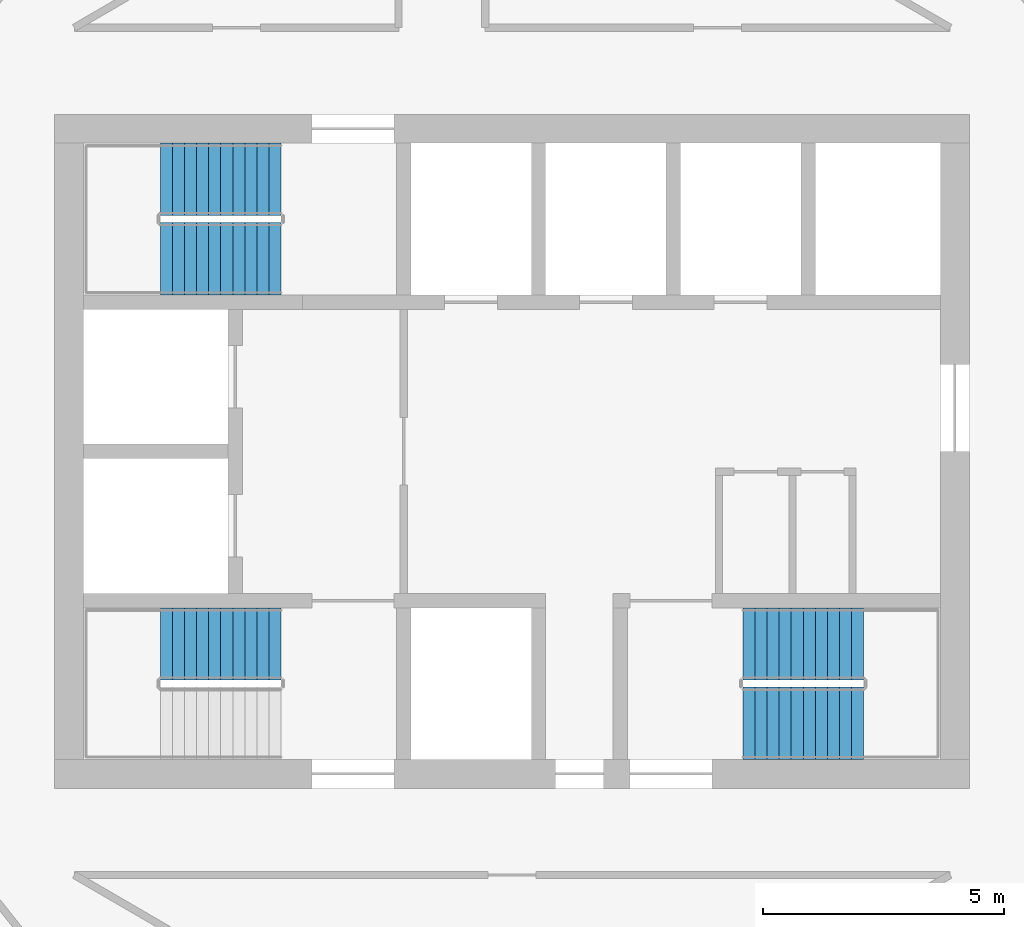
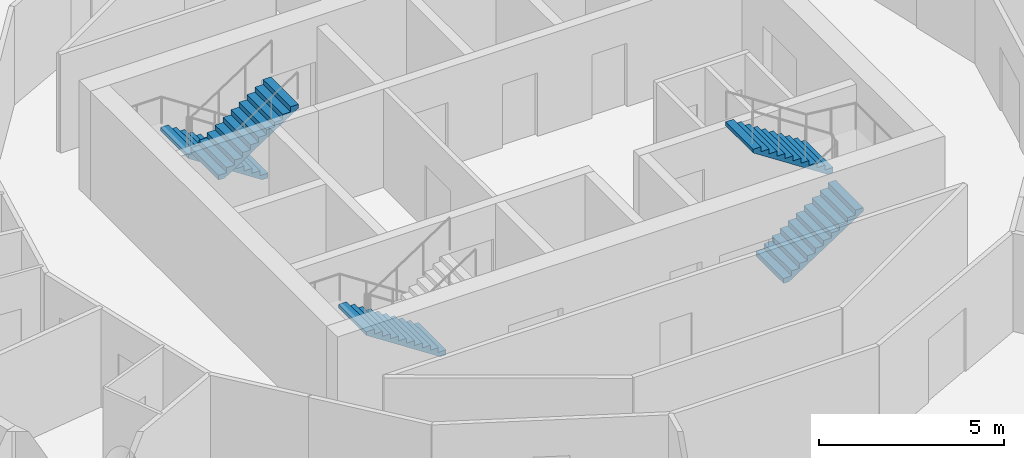
# One storey, part 11 of 12: 5 stair flights, 3 elements without a shape of their own.
"""IFC4 building model written with IfcOpenShell, lengths in metres."""

import ifcopenshell
import ifcopenshell.guid

model = None  # the IFC model being written
_history = None  # IfcOwnerHistory: only IFC2X3 demands one
_inside = {}  # id of a spatial element -> (the spatial element, [elements in it])
_under = {}  # id of a project, library or spatial element -> (it, [spatial elements below it])
_declared = {}  # id of a project -> (the project, [libraries it declares])
_typed = {}  # id of a type object -> (the type object, [elements of that type])
_made_of = {}  # id of a material, layer set ... -> (it, [elements and type objects made of it])


def new_model(schema):
    """Start an empty IFC model of exactly this schema.

    Asked for "IFC4X3", IfcOpenShell would pick the latest addendum, in which some entities
    have other attributes; the version numbers below select the first issue.
    IFC2X3 requires an IfcOwnerHistory on every rooted entity: one is made here for all.
    """
    global model, _history
    if schema == "IFC4X3":
        model = ifcopenshell.file(schema_version=(4, 3, 0, 0))
    else:
        model = ifcopenshell.file(schema=schema)
    _inside.clear()
    _under.clear()
    _declared.clear()
    _typed.clear()
    _made_of.clear()
    _history = None
    if model.schema == "IFC2X3":
        org = make("IfcOrganization", Name="unknown")
        user = make(
            "IfcPersonAndOrganization",
            ThePerson=make("IfcPerson", FamilyName="unknown"),
            TheOrganization=org,
        )
        app = make(
            "IfcApplication",
            ApplicationDeveloper=org,
            Version="unknown",
            ApplicationFullName="unknown",
            ApplicationIdentifier="unknown",
        )
        _history = make(
            "IfcOwnerHistory",
            OwningUser=user,
            OwningApplication=app,
            ChangeAction="ADDED",
            CreationDate=0,
        )
    return model


def make(cls, **values):
    """One entity of the class cls with the attributes given. An attribute that is None is left unset."""
    return model.create_entity(
        cls, **{name: value for name, value in values.items() if value is not None}
    )


def rooted(cls, **values):
    """An entity with a GlobalId (a new one), such as an element, a storey or a relation."""
    return make(cls, GlobalId=ifcopenshell.guid.new(), OwnerHistory=_history, **values)


def si_unit(unit_type, name, prefix=None):
    """IfcSIUnit, for example si_unit("LENGTHUNIT", "METRE", prefix="MILLI")."""
    return make("IfcSIUnit", UnitType=unit_type, Prefix=prefix, Name=name)


def assignment(units):
    """IfcUnitAssignment: the units of a project."""
    return None if units is None else make("IfcUnitAssignment", Units=units)


def point(xyz):
    """IfcCartesianPoint."""
    return None if xyz is None else make("IfcCartesianPoint", Coordinates=xyz)


def direction(xyz):
    """IfcDirection."""
    return None if xyz is None else make("IfcDirection", DirectionRatios=xyz)


def frame(location, z_axis=None, x_axis=None):
    """IfcAxis2Placement3D, a coordinate frame: its origin and axes. An axis left out is left unset."""
    return make(
        "IfcAxis2Placement3D",
        Location=point(location),
        Axis=direction(z_axis),
        RefDirection=direction(x_axis),
    )


def origin():
    """The frame at (0, 0, 0) with its axes left unset."""
    return frame((0.0, 0.0, 0.0))


def place(relative_to, where):
    """IfcLocalPlacement: puts the frame where relative to a parent placement (None: the world)."""
    return make(
        "IfcLocalPlacement", PlacementRelTo=relative_to, RelativePlacement=where
    )


def context(
    kind, dimensions, precision=None, world=None, true_north=None, identifier=None
):
    """IfcGeometricRepresentationContext, for example the 3D "Model" context."""
    return make(
        "IfcGeometricRepresentationContext",
        ContextIdentifier=identifier,
        ContextType=kind,
        CoordinateSpaceDimension=dimensions,
        Precision=precision,
        WorldCoordinateSystem=world,
        TrueNorth=true_north,
    )


def subcontext(parent, identifier, kind, view, scale=None):
    """IfcGeometricRepresentationSubContext, for example "Body" below "Model"."""
    return make(
        "IfcGeometricRepresentationSubContext",
        ContextIdentifier=identifier,
        ContextType=kind,
        ParentContext=parent,
        TargetScale=scale,
        TargetView=view,
    )


def project(units=None, contexts=None):
    """IfcProject with its units and contexts."""
    return rooted(
        "IfcProject",
        Name="project",
        RepresentationContexts=contexts,
        UnitsInContext=assignment(units),
    )


def spatial(cls, under=None, at=None, **own):
    """A site, building, storey or space (cls), placed at a placement, below another one or the project."""
    s = rooted(cls, ObjectPlacement=at, **own)
    if under is not None:
        _under.setdefault(under.id(), (under, []))[1].append(s)
    return s


def polyline(points):
    """IfcPolyline through the points."""
    return make("IfcPolyline", Points=[point(p) for p in points])


def outline(outer, holes=None, kind="AREA"):
    """IfcArbitraryClosedProfileDef: a profile drawn as a closed curve; with holes, ...WithVoids."""
    if holes is None:
        return make("IfcArbitraryClosedProfileDef", ProfileType=kind, OuterCurve=outer)
    return make(
        "IfcArbitraryProfileDefWithVoids",
        ProfileType=kind,
        OuterCurve=outer,
        InnerCurves=holes,
    )


def extrude(swept, where, along, depth):
    """IfcExtrudedAreaSolid: the profile swept, set in the frame where, extruded along a direction by depth."""
    return make(
        "IfcExtrudedAreaSolid",
        SweptArea=swept,
        Position=where,
        ExtrudedDirection=direction(along),
        Depth=depth,
    )


def shape(context_of_items, identifier, shape_type, items):
    """IfcShapeRepresentation: the items that make up one representation, for example the "Body"."""
    return make(
        "IfcShapeRepresentation",
        ContextOfItems=context_of_items,
        RepresentationIdentifier=identifier,
        RepresentationType=shape_type,
        Items=items,
    )


def material(Name=None, Category=None):
    """IfcMaterial."""
    return make("IfcMaterial", Name=Name, Category=Category)


def made_of(thing, what):
    """Note that an element or type object is made of a material, layer set ...; save() writes the relation."""
    if what is not None:
        _made_of.setdefault(what.id(), (what, []))[1].append(thing)
    return thing


def type_object(cls, material=None, **own):
    """A type object (cls), such as IfcWallType, which elements share."""
    return made_of(rooted(cls, **own), material)


def element(
    cls,
    number,
    at=None,
    inside=None,
    cuts=None,
    type_object=None,
    material=None,
    context=None,
    identifier="Body",
    shape_type=None,
    held_by="IfcProductDefinitionShape",
    body=None,
    shapes=None,
    **own,
):
    """One element of the class cls, such as IfcWall. Its Tag is "e" and its number.

    at: its placement. inside: the storey or other place that contains it. cuts: it is an
    opening in that element (IfcRelVoidsElement). A single representation is given by context,
    identifier, shape_type and body (its items); several are given by shapes. held_by: the class
    of the entity that holds the representations. save() writes the other relations.
    """
    e = rooted(cls, Tag="e%d" % number, ObjectPlacement=at, **own)
    if body is not None:
        shapes = [shape(context, identifier, shape_type, body)]
    if shapes is not None:
        e.Representation = make(held_by, Representations=shapes)
    if inside is not None:
        _inside.setdefault(inside.id(), (inside, []))[1].append(e)
    if cuts is not None:
        rooted(
            "IfcRelVoidsElement", RelatingBuildingElement=cuts, RelatedOpeningElement=e
        )
    if type_object is not None:
        _typed.setdefault(type_object.id(), (type_object, []))[1].append(e)
    return made_of(e, material)


def aggregate(whole, parts):
    """IfcRelAggregates: a whole, such as a stair, and the parts it consists of."""
    return rooted("IfcRelAggregates", RelatingObject=whole, RelatedObjects=parts)


def save(model, path):
    """Write the relations noted so far, then the file.

    IfcRelAggregates (storeys below a building ...), IfcRelContainedInSpatialStructure (elements
    in a storey), IfcRelDefinesByType, IfcRelAssociatesMaterial and IfcRelDeclares: one each for
    every whole, place, type object, material and project.
    """
    for whole, parts in _under.values():
        aggregate(whole, parts)
    for where, things in _inside.values():
        rooted(
            "IfcRelContainedInSpatialStructure",
            RelatedElements=things,
            RelatingStructure=where,
        )
    for kind, things in _typed.values():
        rooted("IfcRelDefinesByType", RelatedObjects=things, RelatingType=kind)
    for what, things in _made_of.values():
        rooted("IfcRelAssociatesMaterial", RelatedObjects=things, RelatingMaterial=what)
    for by, libraries in _declared.values():
        rooted("IfcRelDeclares", RelatingContext=by, RelatedDefinitions=libraries)
    model.write(path)


model = new_model("IFC4")

# Units and contexts
model_context = context("Model", 3, precision=1e-05, world=origin(), true_north=direction((0.0, 1.0)))
body_context = subcontext(model_context, "Body", "Model", "MODEL_VIEW")
ifc_project = project(units=[si_unit("LENGTHUNIT", "METRE"), si_unit("AREAUNIT", "SQUARE_METRE"), si_unit("VOLUMEUNIT", "CUBIC_METRE"), si_unit("PLANEANGLEUNIT", "RADIAN"), si_unit("MASSUNIT", "GRAM", prefix="KILO")], contexts=[model_context])

# Site, building, storey
site_placement = place(None, origin())
site = spatial("IfcSite", under=ifc_project, at=site_placement, CompositionType="ELEMENT")
building_placement = place(site_placement, origin())
building = spatial("IfcBuilding", under=site, at=building_placement, Name="Tracery Tower", CompositionType="ELEMENT")
storey_placement = place(building_placement, frame((0.0, 0.0, 249.0)))
storey = spatial("IfcBuildingStorey", under=building, at=storey_placement, Name="L64", CompositionType="ELEMENT", Elevation=249.0)

# Stair, stair flight
ifc_material_1 = material(Name="Concrete C32/40", Category="concrete")
stair_type = type_object("IfcStairType", Name="Core stair 22 risers", PredefinedType="HALF_TURN_STAIR", material=ifc_material_1)
stair_1_placement = place(storey_placement, origin())
stair_1 = element("IfcStair", 1, at=stair_1_placement, inside=storey, type_object=stair_type, Name="L64 stair ST1", PredefinedType="HALF_TURN_STAIR")
ifc_material_2 = material(Name="Concrete C32/40", Category="concrete")
stair_flight_type = type_object("IfcStairFlightType", Name="Core stair flight 11 risers", PredefinedType="STRAIGHT", material=ifc_material_2)
stair_flight_1_placement = place(storey_placement, frame((-4.800048828125, -4.0, 0.0), z_axis=(0.0, 0.0, 1.0), x_axis=(-1.0, 0.0, 0.0)))
stair_flight_1 = element("IfcStairFlight", 2, at=stair_flight_1_placement, type_object=stair_flight_type, Name="ST1 flight 1", NumberOfRisers=11, NumberOfTreads=10, PredefinedType="STRAIGHT", RiserHeight=0.163636364, TreadLength=0.25, context=body_context, shape_type="SweptSolid", body=[
    extrude(outline(polyline([(0.0, 0.0), (0.0, 0.002685546875), (0.0, 0.00537109375), (0.0, 0.008056640625), (0.0, 0.0107421875), (0.0, 0.013427734375), (0.0, 0.01611328125), (0.0, 0.018798828125), (0.0, 0.021484375), (0.0, 0.024169921875), (0.0, 0.02685546875), (0.0, 0.029541015625), (0.0, 0.0322265625), (0.0, 0.034912109375), (0.0, 0.03759765625), (0.0, 0.040283203125), (0.0, 0.04296875), (0.0, 0.045654296875), (0.0, 0.04833984375), (0.0, 0.051025390625), (0.0, 0.0537109375), (0.0, 0.056396484375), (0.0, 0.05908203125), (0.0, 0.061767578125), (0.0, 0.064453125), (0.0, 0.067138671875), (0.0, 0.06982421875), (0.0, 0.072509765625), (0.0, 0.0751953125), (0.0, 0.077880859375), (0.0, 0.08056640625), (0.0, 0.083251953125), (0.0, 0.0859375), (0.0, 0.088623046875), (0.0, 0.09130859375), (0.0, 0.093994140625), (0.0, 0.0966796875), (0.0, 0.099365234375), (0.0, 0.10205078125), (0.0, 0.104736328125), (0.0, 0.107421875), (0.0, 0.10986328125), (0.0, 0.112548828125), (0.0, 0.115234375), (0.0, 0.117919921875), (0.0, 0.12060546875), (0.0, 0.123291015625), (0.0, 0.1259765625), (0.0, 0.128662109375), (0.0, 0.13134765625), (0.0, 0.134033203125), (0.0, 0.13671875), (0.0, 0.139404296875), (0.0, 0.14208984375), (0.0, 0.144775390625), (0.0, 0.1474609375), (0.0, 0.150146484375), (0.0, 0.15283203125), (0.0, 0.155517578125), (0.0, 0.158203125), (0.0, 0.160888671875), (0.0, 0.16357421875), (0.25, 0.16357421875), (0.25, 0.327392578125), (0.5, 0.327392578125), (0.5, 0.490966796875), (0.75, 0.490966796875), (0.75, 0.654541015625), (1.0, 0.654541015625), (1.0, 0.818115234375), (1.25, 0.818115234375), (1.25, 0.98193359375), (1.5, 0.98193359375), (1.5, 1.1455078125), (1.75, 1.1455078125), (1.75, 1.30908203125), (2.0, 1.30908203125), (2.0, 1.47265625), (2.25, 1.47265625), (2.25, 1.636474609375), (2.5, 1.636474609375), (2.5, 1.634521484375), (2.5, 1.63232421875), (2.5, 1.63037109375), (2.5, 1.62841796875), (2.5, 1.62646484375), (2.5, 1.62451171875), (2.5, 1.62255859375), (2.5, 1.62060546875), (2.5, 1.61865234375), (2.5, 1.61669921875), (2.5, 1.61474609375), (2.5, 1.61279296875), (2.5, 1.61083984375), (2.5, 1.60888671875), (2.5, 1.60693359375), (2.5, 1.60498046875), (2.5, 1.60302734375), (2.5, 1.60107421875), (2.5, 1.59912109375), (2.5, 1.59716796875), (2.5, 1.59521484375), (2.5, 1.59326171875), (2.5, 1.59130859375), (2.5, 1.58935546875), (2.5, 1.58740234375), (2.5, 1.58544921875), (2.5, 1.58349609375), (2.5, 1.58154296875), (2.5, 1.57958984375), (2.5, 1.57763671875), (2.5, 1.57568359375), (2.5, 1.573486328125), (2.5, 1.571533203125), (2.5, 1.569580078125), (2.5, 1.567626953125), (2.5, 1.565673828125), (2.5, 1.563720703125), (2.5, 1.561767578125), (2.5, 1.559814453125), (2.5, 1.557861328125), (2.5, 1.555908203125), (2.5, 1.553955078125), (2.5, 1.552001953125), (2.5, 1.550048828125), (2.5, 1.548095703125), (2.5, 1.546142578125), (2.5, 1.544189453125), (2.5, 1.542236328125), (2.5, 1.540283203125), (2.5, 1.538330078125), (2.5, 1.536376953125), (2.5, 1.534423828125), (2.5, 1.532470703125), (2.5, 1.530517578125), (2.5, 1.528564453125), (2.5, 1.526611328125), (2.5, 1.524658203125), (2.5, 1.522705078125), (2.5, 1.520751953125), (2.5, 1.518798828125), (2.5, 1.516845703125), (0.182861328125, 0.0), (0.0, 0.0)])), frame((0.0, 0.75, 0.0), z_axis=(0.0, -1.0, 0.0), x_axis=(1.0, 0.0, 0.0)), (0.0, 0.0, 1.0), 1.5),
])
aggregate(stair_1, [stair_flight_1])

# Stair, stair flights
stair_2_placement = place(storey_placement, origin())
stair_2 = element("IfcStair", 3, at=stair_2_placement, inside=storey, type_object=stair_type, Name="L64 stair ST3", PredefinedType="HALF_TURN_STAIR")
stair_flight_2_placement = place(storey_placement, frame((-4.800048828125, 5.64990234375, 0.0), z_axis=(0.0, 0.0, 1.0), x_axis=(-1.0, 0.0, 0.0)))
stair_flight_2 = element("IfcStairFlight", 4, at=stair_flight_2_placement, type_object=stair_flight_type, Name="ST3 flight 1", NumberOfRisers=11, NumberOfTreads=10, PredefinedType="STRAIGHT", RiserHeight=0.163636364, TreadLength=0.25, context=body_context, shape_type="SweptSolid", body=[
    extrude(outline(polyline([(0.0, 0.0), (0.0, 0.002685546875), (0.0, 0.00537109375), (0.0, 0.008056640625), (0.0, 0.0107421875), (0.0, 0.013427734375), (0.0, 0.01611328125), (0.0, 0.018798828125), (0.0, 0.021484375), (0.0, 0.024169921875), (0.0, 0.02685546875), (0.0, 0.029541015625), (0.0, 0.0322265625), (0.0, 0.034912109375), (0.0, 0.03759765625), (0.0, 0.040283203125), (0.0, 0.04296875), (0.0, 0.045654296875), (0.0, 0.04833984375), (0.0, 0.051025390625), (0.0, 0.0537109375), (0.0, 0.056396484375), (0.0, 0.05908203125), (0.0, 0.061767578125), (0.0, 0.064453125), (0.0, 0.067138671875), (0.0, 0.06982421875), (0.0, 0.072509765625), (0.0, 0.0751953125), (0.0, 0.077880859375), (0.0, 0.08056640625), (0.0, 0.083251953125), (0.0, 0.0859375), (0.0, 0.088623046875), (0.0, 0.09130859375), (0.0, 0.093994140625), (0.0, 0.0966796875), (0.0, 0.099365234375), (0.0, 0.10205078125), (0.0, 0.104736328125), (0.0, 0.107421875), (0.0, 0.10986328125), (0.0, 0.112548828125), (0.0, 0.115234375), (0.0, 0.117919921875), (0.0, 0.12060546875), (0.0, 0.123291015625), (0.0, 0.1259765625), (0.0, 0.128662109375), (0.0, 0.13134765625), (0.0, 0.134033203125), (0.0, 0.13671875), (0.0, 0.139404296875), (0.0, 0.14208984375), (0.0, 0.144775390625), (0.0, 0.1474609375), (0.0, 0.150146484375), (0.0, 0.15283203125), (0.0, 0.155517578125), (0.0, 0.158203125), (0.0, 0.160888671875), (0.0, 0.16357421875), (0.25, 0.16357421875), (0.25, 0.327392578125), (0.5, 0.327392578125), (0.5, 0.490966796875), (0.75, 0.490966796875), (0.75, 0.654541015625), (1.0, 0.654541015625), (1.0, 0.818115234375), (1.25, 0.818115234375), (1.25, 0.98193359375), (1.5, 0.98193359375), (1.5, 1.1455078125), (1.75, 1.1455078125), (1.75, 1.30908203125), (2.0, 1.30908203125), (2.0, 1.47265625), (2.25, 1.47265625), (2.25, 1.636474609375), (2.5, 1.636474609375), (2.5, 1.634521484375), (2.5, 1.63232421875), (2.5, 1.63037109375), (2.5, 1.62841796875), (2.5, 1.62646484375), (2.5, 1.62451171875), (2.5, 1.62255859375), (2.5, 1.62060546875), (2.5, 1.61865234375), (2.5, 1.61669921875), (2.5, 1.61474609375), (2.5, 1.61279296875), (2.5, 1.61083984375), (2.5, 1.60888671875), (2.5, 1.60693359375), (2.5, 1.60498046875), (2.5, 1.60302734375), (2.5, 1.60107421875), (2.5, 1.59912109375), (2.5, 1.59716796875), (2.5, 1.59521484375), (2.5, 1.59326171875), (2.5, 1.59130859375), (2.5, 1.58935546875), (2.5, 1.58740234375), (2.5, 1.58544921875), (2.5, 1.58349609375), (2.5, 1.58154296875), (2.5, 1.57958984375), (2.5, 1.57763671875), (2.5, 1.57568359375), (2.5, 1.573486328125), (2.5, 1.571533203125), (2.5, 1.569580078125), (2.5, 1.567626953125), (2.5, 1.565673828125), (2.5, 1.563720703125), (2.5, 1.561767578125), (2.5, 1.559814453125), (2.5, 1.557861328125), (2.5, 1.555908203125), (2.5, 1.553955078125), (2.5, 1.552001953125), (2.5, 1.550048828125), (2.5, 1.548095703125), (2.5, 1.546142578125), (2.5, 1.544189453125), (2.5, 1.542236328125), (2.5, 1.540283203125), (2.5, 1.538330078125), (2.5, 1.536376953125), (2.5, 1.534423828125), (2.5, 1.532470703125), (2.5, 1.530517578125), (2.5, 1.528564453125), (2.5, 1.526611328125), (2.5, 1.524658203125), (2.5, 1.522705078125), (2.5, 1.520751953125), (2.5, 1.518798828125), (2.5, 1.516845703125), (0.182861328125, 0.0), (0.0, 0.0)])), frame((0.0, 0.75, 0.0), z_axis=(0.0, -1.0, 0.0), x_axis=(1.0, 0.0, 0.0)), (0.0, 0.0, 1.0), 1.5),
])
stair_flight_3_placement = place(storey_placement, frame((-7.300048828125, 4.0, 1.800048828125), z_axis=(0.0, 0.0, 1.0), x_axis=(1.0, 0.0, 0.0)))
stair_flight_3 = element("IfcStairFlight", 5, at=stair_flight_3_placement, type_object=stair_flight_type, Name="ST3 flight 2", NumberOfRisers=11, NumberOfTreads=10, PredefinedType="STRAIGHT", RiserHeight=0.163636364, TreadLength=0.25, context=body_context, shape_type="SweptSolid", body=[
    extrude(outline(polyline([(0.0, 0.0), (0.0, 0.002685546875), (0.0, 0.00537109375), (0.0, 0.008056640625), (0.0, 0.0107421875), (0.0, 0.013427734375), (0.0, 0.01611328125), (0.0, 0.018798828125), (0.0, 0.021484375), (0.0, 0.024169921875), (0.0, 0.02685546875), (0.0, 0.029541015625), (0.0, 0.0322265625), (0.0, 0.034912109375), (0.0, 0.03759765625), (0.0, 0.040283203125), (0.0, 0.04296875), (0.0, 0.045654296875), (0.0, 0.04833984375), (0.0, 0.051025390625), (0.0, 0.0537109375), (0.0, 0.056396484375), (0.0, 0.05908203125), (0.0, 0.061767578125), (0.0, 0.064453125), (0.0, 0.067138671875), (0.0, 0.06982421875), (0.0, 0.072509765625), (0.0, 0.0751953125), (0.0, 0.077880859375), (0.0, 0.08056640625), (0.0, 0.083251953125), (0.0, 0.0859375), (0.0, 0.088623046875), (0.0, 0.09130859375), (0.0, 0.093994140625), (0.0, 0.0966796875), (0.0, 0.099365234375), (0.0, 0.10205078125), (0.0, 0.104736328125), (0.0, 0.107421875), (0.0, 0.10986328125), (0.0, 0.112548828125), (0.0, 0.115234375), (0.0, 0.117919921875), (0.0, 0.12060546875), (0.0, 0.123291015625), (0.0, 0.1259765625), (0.0, 0.128662109375), (0.0, 0.13134765625), (0.0, 0.134033203125), (0.0, 0.13671875), (0.0, 0.139404296875), (0.0, 0.14208984375), (0.0, 0.144775390625), (0.0, 0.1474609375), (0.0, 0.150146484375), (0.0, 0.15283203125), (0.0, 0.155517578125), (0.0, 0.158203125), (0.0, 0.160888671875), (0.0, 0.16357421875), (0.25, 0.16357421875), (0.25, 0.327392578125), (0.5, 0.327392578125), (0.5, 0.490966796875), (0.75, 0.490966796875), (0.75, 0.654541015625), (1.0, 0.654541015625), (1.0, 0.818115234375), (1.25, 0.818115234375), (1.25, 0.98193359375), (1.5, 0.98193359375), (1.5, 1.1455078125), (1.75, 1.1455078125), (1.75, 1.30908203125), (2.0, 1.30908203125), (2.0, 1.47265625), (2.25, 1.47265625), (2.25, 1.636474609375), (2.5, 1.636474609375), (2.5, 1.634521484375), (2.5, 1.63232421875), (2.5, 1.63037109375), (2.5, 1.62841796875), (2.5, 1.62646484375), (2.5, 1.62451171875), (2.5, 1.62255859375), (2.5, 1.62060546875), (2.5, 1.61865234375), (2.5, 1.61669921875), (2.5, 1.61474609375), (2.5, 1.61279296875), (2.5, 1.61083984375), (2.5, 1.60888671875), (2.5, 1.60693359375), (2.5, 1.60498046875), (2.5, 1.60302734375), (2.5, 1.60107421875), (2.5, 1.59912109375), (2.5, 1.59716796875), (2.5, 1.59521484375), (2.5, 1.59326171875), (2.5, 1.59130859375), (2.5, 1.58935546875), (2.5, 1.58740234375), (2.5, 1.58544921875), (2.5, 1.58349609375), (2.5, 1.58154296875), (2.5, 1.57958984375), (2.5, 1.57763671875), (2.5, 1.57568359375), (2.5, 1.573486328125), (2.5, 1.571533203125), (2.5, 1.569580078125), (2.5, 1.567626953125), (2.5, 1.565673828125), (2.5, 1.563720703125), (2.5, 1.561767578125), (2.5, 1.559814453125), (2.5, 1.557861328125), (2.5, 1.555908203125), (2.5, 1.553955078125), (2.5, 1.552001953125), (2.5, 1.550048828125), (2.5, 1.548095703125), (2.5, 1.546142578125), (2.5, 1.544189453125), (2.5, 1.542236328125), (2.5, 1.540283203125), (2.5, 1.538330078125), (2.5, 1.536376953125), (2.5, 1.534423828125), (2.5, 1.532470703125), (2.5, 1.530517578125), (2.5, 1.528564453125), (2.5, 1.526611328125), (2.5, 1.524658203125), (2.5, 1.522705078125), (2.5, 1.520751953125), (2.5, 1.518798828125), (2.5, 1.516845703125), (0.182861328125, 0.0), (0.0, 0.0)])), frame((0.0, 0.75, 0.0), z_axis=(0.0, -1.0, 0.0), x_axis=(1.0, 0.0, 0.0)), (0.0, 0.0, 1.0), 1.5),
])
aggregate(stair_2, [stair_flight_2, stair_flight_3])

stair_3_placement = place(storey_placement, origin())
stair_3 = element("IfcStair", 6, at=stair_3_placement, inside=storey, type_object=stair_type, Name="L64 stair ST2", PredefinedType="HALF_TURN_STAIR")
stair_flight_4_placement = place(storey_placement, frame((4.800048828125, -5.64990234375, 0.0), z_axis=(0.0, 0.0, 1.0), x_axis=(1.0, 0.0, 0.0)))
stair_flight_4 = element("IfcStairFlight", 7, at=stair_flight_4_placement, type_object=stair_flight_type, Name="ST2 flight 1", NumberOfRisers=11, NumberOfTreads=10, PredefinedType="STRAIGHT", RiserHeight=0.163636364, TreadLength=0.25, context=body_context, shape_type="SweptSolid", body=[
    extrude(outline(polyline([(0.0, 0.0), (0.0, 0.002685546875), (0.0, 0.00537109375), (0.0, 0.008056640625), (0.0, 0.0107421875), (0.0, 0.013427734375), (0.0, 0.01611328125), (0.0, 0.018798828125), (0.0, 0.021484375), (0.0, 0.024169921875), (0.0, 0.02685546875), (0.0, 0.029541015625), (0.0, 0.0322265625), (0.0, 0.034912109375), (0.0, 0.03759765625), (0.0, 0.040283203125), (0.0, 0.04296875), (0.0, 0.045654296875), (0.0, 0.04833984375), (0.0, 0.051025390625), (0.0, 0.0537109375), (0.0, 0.056396484375), (0.0, 0.05908203125), (0.0, 0.061767578125), (0.0, 0.064453125), (0.0, 0.067138671875), (0.0, 0.06982421875), (0.0, 0.072509765625), (0.0, 0.0751953125), (0.0, 0.077880859375), (0.0, 0.08056640625), (0.0, 0.083251953125), (0.0, 0.0859375), (0.0, 0.088623046875), (0.0, 0.09130859375), (0.0, 0.093994140625), (0.0, 0.0966796875), (0.0, 0.099365234375), (0.0, 0.10205078125), (0.0, 0.104736328125), (0.0, 0.107421875), (0.0, 0.10986328125), (0.0, 0.112548828125), (0.0, 0.115234375), (0.0, 0.117919921875), (0.0, 0.12060546875), (0.0, 0.123291015625), (0.0, 0.1259765625), (0.0, 0.128662109375), (0.0, 0.13134765625), (0.0, 0.134033203125), (0.0, 0.13671875), (0.0, 0.139404296875), (0.0, 0.14208984375), (0.0, 0.144775390625), (0.0, 0.1474609375), (0.0, 0.150146484375), (0.0, 0.15283203125), (0.0, 0.155517578125), (0.0, 0.158203125), (0.0, 0.160888671875), (0.0, 0.16357421875), (0.25, 0.16357421875), (0.25, 0.327392578125), (0.5, 0.327392578125), (0.5, 0.490966796875), (0.75, 0.490966796875), (0.75, 0.654541015625), (1.0, 0.654541015625), (1.0, 0.818115234375), (1.25, 0.818115234375), (1.25, 0.98193359375), (1.5, 0.98193359375), (1.5, 1.1455078125), (1.75, 1.1455078125), (1.75, 1.30908203125), (2.0, 1.30908203125), (2.0, 1.47265625), (2.25, 1.47265625), (2.25, 1.636474609375), (2.5, 1.636474609375), (2.5, 1.634521484375), (2.5, 1.63232421875), (2.5, 1.63037109375), (2.5, 1.62841796875), (2.5, 1.62646484375), (2.5, 1.62451171875), (2.5, 1.62255859375), (2.5, 1.62060546875), (2.5, 1.61865234375), (2.5, 1.61669921875), (2.5, 1.61474609375), (2.5, 1.61279296875), (2.5, 1.61083984375), (2.5, 1.60888671875), (2.5, 1.60693359375), (2.5, 1.60498046875), (2.5, 1.60302734375), (2.5, 1.60107421875), (2.5, 1.59912109375), (2.5, 1.59716796875), (2.5, 1.59521484375), (2.5, 1.59326171875), (2.5, 1.59130859375), (2.5, 1.58935546875), (2.5, 1.58740234375), (2.5, 1.58544921875), (2.5, 1.58349609375), (2.5, 1.58154296875), (2.5, 1.57958984375), (2.5, 1.57763671875), (2.5, 1.57568359375), (2.5, 1.573486328125), (2.5, 1.571533203125), (2.5, 1.569580078125), (2.5, 1.567626953125), (2.5, 1.565673828125), (2.5, 1.563720703125), (2.5, 1.561767578125), (2.5, 1.559814453125), (2.5, 1.557861328125), (2.5, 1.555908203125), (2.5, 1.553955078125), (2.5, 1.552001953125), (2.5, 1.550048828125), (2.5, 1.548095703125), (2.5, 1.546142578125), (2.5, 1.544189453125), (2.5, 1.542236328125), (2.5, 1.540283203125), (2.5, 1.538330078125), (2.5, 1.536376953125), (2.5, 1.534423828125), (2.5, 1.532470703125), (2.5, 1.530517578125), (2.5, 1.528564453125), (2.5, 1.526611328125), (2.5, 1.524658203125), (2.5, 1.522705078125), (2.5, 1.520751953125), (2.5, 1.518798828125), (2.5, 1.516845703125), (0.182861328125, 0.0), (0.0, 0.0)])), frame((0.0, 0.75, 0.0), z_axis=(0.0, -1.0, 0.0), x_axis=(1.0, 0.0, 0.0)), (0.0, 0.0, 1.0), 1.5),
])
stair_flight_5_placement = place(storey_placement, frame((7.300048828125, -4.0, 1.800048828125), z_axis=(0.0, 0.0, 1.0), x_axis=(-1.0, 0.0, 0.0)))
stair_flight_5 = element("IfcStairFlight", 8, at=stair_flight_5_placement, type_object=stair_flight_type, Name="ST2 flight 2", NumberOfRisers=11, NumberOfTreads=10, PredefinedType="STRAIGHT", RiserHeight=0.163636364, TreadLength=0.25, context=body_context, shape_type="SweptSolid", body=[
    extrude(outline(polyline([(0.0, 0.0), (0.0, 0.002685546875), (0.0, 0.00537109375), (0.0, 0.008056640625), (0.0, 0.0107421875), (0.0, 0.013427734375), (0.0, 0.01611328125), (0.0, 0.018798828125), (0.0, 0.021484375), (0.0, 0.024169921875), (0.0, 0.02685546875), (0.0, 0.029541015625), (0.0, 0.0322265625), (0.0, 0.034912109375), (0.0, 0.03759765625), (0.0, 0.040283203125), (0.0, 0.04296875), (0.0, 0.045654296875), (0.0, 0.04833984375), (0.0, 0.051025390625), (0.0, 0.0537109375), (0.0, 0.056396484375), (0.0, 0.05908203125), (0.0, 0.061767578125), (0.0, 0.064453125), (0.0, 0.067138671875), (0.0, 0.06982421875), (0.0, 0.072509765625), (0.0, 0.0751953125), (0.0, 0.077880859375), (0.0, 0.08056640625), (0.0, 0.083251953125), (0.0, 0.0859375), (0.0, 0.088623046875), (0.0, 0.09130859375), (0.0, 0.093994140625), (0.0, 0.0966796875), (0.0, 0.099365234375), (0.0, 0.10205078125), (0.0, 0.104736328125), (0.0, 0.107421875), (0.0, 0.10986328125), (0.0, 0.112548828125), (0.0, 0.115234375), (0.0, 0.117919921875), (0.0, 0.12060546875), (0.0, 0.123291015625), (0.0, 0.1259765625), (0.0, 0.128662109375), (0.0, 0.13134765625), (0.0, 0.134033203125), (0.0, 0.13671875), (0.0, 0.139404296875), (0.0, 0.14208984375), (0.0, 0.144775390625), (0.0, 0.1474609375), (0.0, 0.150146484375), (0.0, 0.15283203125), (0.0, 0.155517578125), (0.0, 0.158203125), (0.0, 0.160888671875), (0.0, 0.16357421875), (0.25, 0.16357421875), (0.25, 0.327392578125), (0.5, 0.327392578125), (0.5, 0.490966796875), (0.75, 0.490966796875), (0.75, 0.654541015625), (1.0, 0.654541015625), (1.0, 0.818115234375), (1.25, 0.818115234375), (1.25, 0.98193359375), (1.5, 0.98193359375), (1.5, 1.1455078125), (1.75, 1.1455078125), (1.75, 1.30908203125), (2.0, 1.30908203125), (2.0, 1.47265625), (2.25, 1.47265625), (2.25, 1.636474609375), (2.5, 1.636474609375), (2.5, 1.634521484375), (2.5, 1.63232421875), (2.5, 1.63037109375), (2.5, 1.62841796875), (2.5, 1.62646484375), (2.5, 1.62451171875), (2.5, 1.62255859375), (2.5, 1.62060546875), (2.5, 1.61865234375), (2.5, 1.61669921875), (2.5, 1.61474609375), (2.5, 1.61279296875), (2.5, 1.61083984375), (2.5, 1.60888671875), (2.5, 1.60693359375), (2.5, 1.60498046875), (2.5, 1.60302734375), (2.5, 1.60107421875), (2.5, 1.59912109375), (2.5, 1.59716796875), (2.5, 1.59521484375), (2.5, 1.59326171875), (2.5, 1.59130859375), (2.5, 1.58935546875), (2.5, 1.58740234375), (2.5, 1.58544921875), (2.5, 1.58349609375), (2.5, 1.58154296875), (2.5, 1.57958984375), (2.5, 1.57763671875), (2.5, 1.57568359375), (2.5, 1.573486328125), (2.5, 1.571533203125), (2.5, 1.569580078125), (2.5, 1.567626953125), (2.5, 1.565673828125), (2.5, 1.563720703125), (2.5, 1.561767578125), (2.5, 1.559814453125), (2.5, 1.557861328125), (2.5, 1.555908203125), (2.5, 1.553955078125), (2.5, 1.552001953125), (2.5, 1.550048828125), (2.5, 1.548095703125), (2.5, 1.546142578125), (2.5, 1.544189453125), (2.5, 1.542236328125), (2.5, 1.540283203125), (2.5, 1.538330078125), (2.5, 1.536376953125), (2.5, 1.534423828125), (2.5, 1.532470703125), (2.5, 1.530517578125), (2.5, 1.528564453125), (2.5, 1.526611328125), (2.5, 1.524658203125), (2.5, 1.522705078125), (2.5, 1.520751953125), (2.5, 1.518798828125), (2.5, 1.516845703125), (0.182861328125, 0.0), (0.0, 0.0)])), frame((0.0, 0.75, 0.0), z_axis=(0.0, -1.0, 0.0), x_axis=(1.0, 0.0, 0.0)), (0.0, 0.0, 1.0), 1.5),
])
aggregate(stair_3, [stair_flight_4, stair_flight_5])

save(model, "model.ifc")
